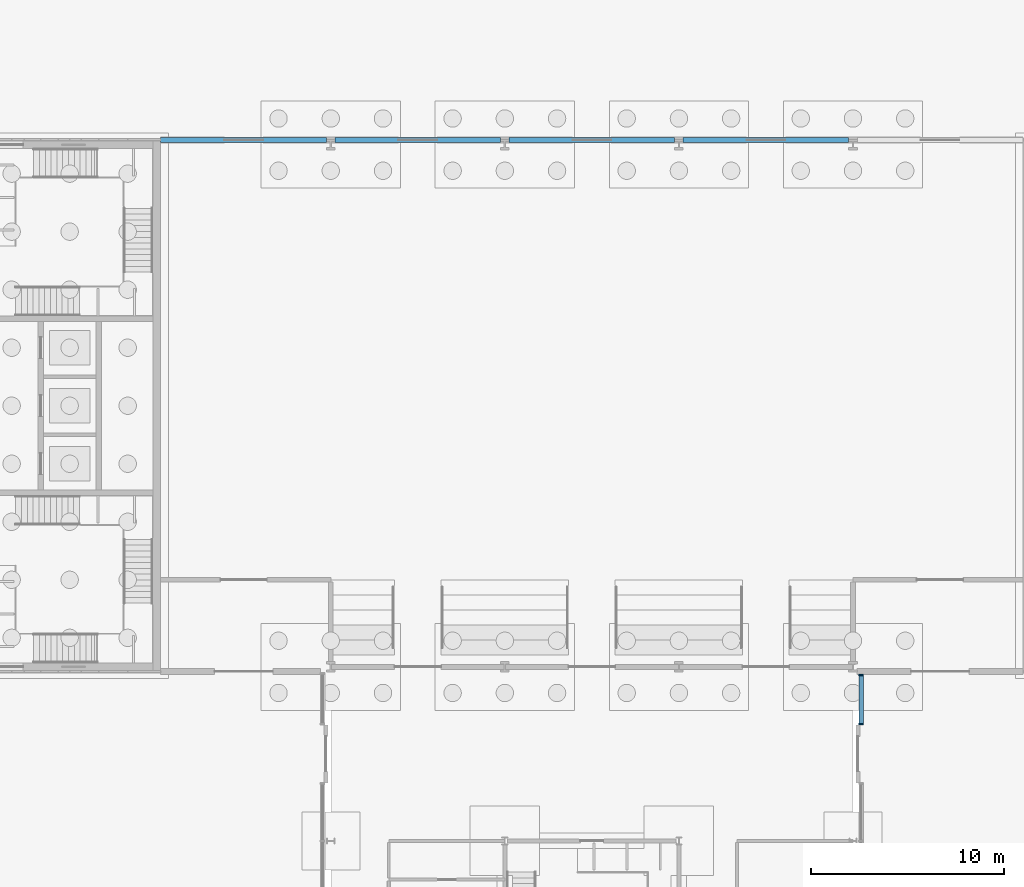
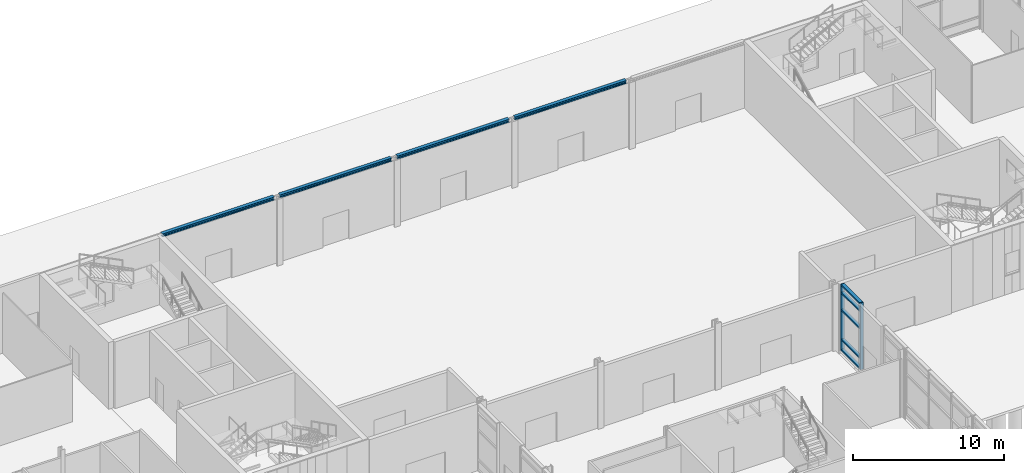
# One storey, part 17 of 45: 7 members, 4 beams, 1 element without a shape of its own.
"""IFC4 building model written with IfcOpenShell, lengths in metres."""

from ifc_helpers import new_model, si_unit, direction, frame, origin, origin_2d, place, context, subcontext, project, spatial, rectangle, i_section, extrude, material, material_profile, profile_set, type_object, element, aggregate, save


model = new_model("IFC4")

# Units and contexts
model_context = context("Model", 3, precision=1e-05, world=origin(), true_north=direction((0.0, 1.0)))
body_context = subcontext(model_context, "Body", "Model", "MODEL_VIEW")
ifc_project = project(units=[si_unit("LENGTHUNIT", "METRE"), si_unit("AREAUNIT", "SQUARE_METRE"), si_unit("VOLUMEUNIT", "CUBIC_METRE"), si_unit("PLANEANGLEUNIT", "RADIAN"), si_unit("MASSUNIT", "GRAM", prefix="KILO")], contexts=[model_context])

# Site, building, storey
site_placement = place(None, origin())
site = spatial("IfcSite", under=ifc_project, at=site_placement, CompositionType="ELEMENT")
building_placement = place(site_placement, origin())
building = spatial("IfcBuilding", under=site, at=building_placement, Name="Azimuth Sports and Learning Centre", CompositionType="ELEMENT")
storey_placement = place(building_placement, origin())
storey = spatial("IfcBuildingStorey", under=building, at=storey_placement, Name="L00", CompositionType="ELEMENT", Elevation=0.0)

# Beams
ifc_material_1 = material(Name="Steel S355", Category="steel")
ifc_material_profile_1 = material_profile(ifc_material_1, i_section(OverallWidth=0.260009765625, OverallDepth=0.260009765625, WebThickness=0.010009765625, FlangeThickness=0.017578125, FilletRadius=0.02392578125, at=origin_2d()), Name="HEB 260")
ifc_profile_set_1 = profile_set([ifc_material_profile_1], Name="Steel S355")
beam_type = type_object("IfcBeamType", Name="Edge beam HEB 260", PredefinedType="SPANDREL", material=ifc_profile_set_1)
beam_placement = place(storey_placement, frame((63.199951171875, 117.239990234375, 5.27001953125), z_axis=(1.0, 0.0, 0.0), x_axis=(0.0, 1.0, 0.0)))
element("IfcBeam", 1, at=beam_placement, inside=storey, type_object=beam_type, Name="Hall wall ledger beam 1", PredefinedType="SPANDREL", context=body_context, shape_type="SweptSolid", body=[
    extrude(i_section(OverallWidth=0.260009765625, OverallDepth=0.260009765625, WebThickness=0.010009765625, FlangeThickness=0.017578125, FilletRadius=0.02392578125, at=origin_2d()), origin(), (0.0, 0.0, 1.0), 8.5791015625),
])
for number, where, z_axis, x_axis, name in (
    (2, (72.220947265625, 117.239990234375, 5.27001953125), (1.0, 0.0, 0.0), (0.0, 1.0, 0.0), "Hall wall ledger beam 2"),
    (3, (81.220947265625, 117.239990234375, 5.27001953125), (1.0, 0.0, 0.0), (0.0, 1.0, 0.0), "Hall wall ledger beam 3"),
    (4, (90.220947265625, 117.239990234375, 5.27001953125), (1.0, 0.0, 0.0), (0.0, 1.0, 0.0), "Hall wall ledger beam 4"),
):
    element("IfcBeam", number, at=place(storey_placement, frame(where, z_axis=z_axis, x_axis=x_axis)), inside=storey, type_object=beam_type, Name=name, PredefinedType="SPANDREL", context=body_context, shape_type="SweptSolid", body=[
        extrude(i_section(OverallWidth=0.260009765625, OverallDepth=0.260009765625, WebThickness=0.010009765625, FlangeThickness=0.017578125, FilletRadius=0.02392578125, at=origin_2d()), origin(), (0.0, 0.0, 1.0), 8.55810546875),
    ])

# Curtain wall, members
ifc_material_2 = material(Name="Aluminium and glass", Category="aluminium")
curtain_wall_type = type_object("IfcCurtainWallType", Name="Curtain wall podium stem 240", PredefinedType="NOTDEFINED", material=ifc_material_2)
curtain_wall_placement = place(storey_placement, origin())
curtain_wall = element("IfcCurtainWall", 5, at=curtain_wall_placement, inside=storey, type_object=curtain_wall_type, Name="Curtain wall CW00-008", PredefinedType="NOTDEFINED")
ifc_material_3 = material(Name="Aluminium", Category="aluminium")
ifc_material_profile_2 = material_profile(ifc_material_3, rectangle(XDim=0.239990234375, YDim=0.080078125, at=origin_2d()), Name="Mullion 80x240")
ifc_profile_set_2 = profile_set([ifc_material_profile_2], Name="Aluminium")
member_type_1 = type_object("IfcMemberType", Name="Mullion 80x240", PredefinedType="MULLION", material=ifc_profile_set_2)
member_1_placement = place(storey_placement, frame((99.419921875, 87.0400390625, 0.0), z_axis=(0.0, 0.0, 1.0), x_axis=(-1.0, 0.0, 0.0)))
member_1 = element("IfcMember", 6, at=member_1_placement, type_object=member_type_1, Name="CW00-008 mullion 1", PredefinedType="MULLION", context=body_context, shape_type="SweptSolid", body=[
    extrude(rectangle(XDim=0.239990234375, YDim=0.080078125, at=origin_2d()), origin(), (0.0, 0.0, 1.0), 5.39990234375),
])
member_2_placement = place(storey_placement, frame((99.419921875, 89.570068359375, 0.0), z_axis=(0.0, 0.0, 1.0), x_axis=(-1.0, 0.0, 0.0)))
member_2 = element("IfcMember", 7, at=member_2_placement, type_object=member_type_1, Name="CW00-008 mullion 2", PredefinedType="MULLION", context=body_context, shape_type="SweptSolid", body=[
    extrude(rectangle(XDim=0.239990234375, YDim=0.080078125, at=origin_2d()), origin(), (0.0, 0.0, 1.0), 5.39990234375),
])
ifc_material_4 = material(Name="Aluminium", Category="aluminium")
ifc_material_profile_3 = material_profile(ifc_material_4, rectangle(XDim=0.239990234375, YDim=0.1201171875, at=origin_2d()), Name="Transom 120x240")
ifc_profile_set_3 = profile_set([ifc_material_profile_3], Name="Aluminium")
member_type_2 = type_object("IfcMemberType", Name="Transom 120x240", PredefinedType="USERDEFINED", material=ifc_profile_set_3)
member_3_placement = place(storey_placement, frame((99.419921875, 87.080078125, 0.06005859375), z_axis=(0.0, 1.0, 0.0), x_axis=(-1.0, 0.0, 0.0)))
member_3 = element("IfcMember", 8, at=member_3_placement, type_object=member_type_2, Name="CW00-008 transom 1.1", ObjectType="TRANSOM", PredefinedType="USERDEFINED", context=body_context, shape_type="SweptSolid", body=[
    extrude(rectangle(XDim=0.239990234375, YDim=0.1201171875, at=origin_2d()), origin(), (0.0, 0.0, 1.0), 2.449951171875),
])
member_4_placement = place(storey_placement, frame((99.419921875, 87.080078125, 0.89990234375), z_axis=(0.0, 1.0, 0.0), x_axis=(-1.0, 0.0, 0.0)))
member_4 = element("IfcMember", 9, at=member_4_placement, type_object=member_type_2, Name="CW00-008 transom 1.2", ObjectType="TRANSOM", PredefinedType="USERDEFINED", context=body_context, shape_type="SweptSolid", body=[
    extrude(rectangle(XDim=0.239990234375, YDim=0.1201171875, at=origin_2d()), origin(), (0.0, 0.0, 1.0), 2.449951171875),
])
member_5_placement = place(storey_placement, frame((99.419921875, 87.080078125, 3.300048828125), z_axis=(0.0, 1.0, 0.0), x_axis=(-1.0, 0.0, 0.0)))
member_5 = element("IfcMember", 10, at=member_5_placement, type_object=member_type_2, Name="CW00-008 transom 1.3", ObjectType="TRANSOM", PredefinedType="USERDEFINED", context=body_context, shape_type="SweptSolid", body=[
    extrude(rectangle(XDim=0.239990234375, YDim=0.1201171875, at=origin_2d()), origin(), (0.0, 0.0, 1.0), 2.449951171875),
])
member_6_placement = place(storey_placement, frame((99.419921875, 87.080078125, 4.699951171875), z_axis=(0.0, 1.0, 0.0), x_axis=(-1.0, 0.0, 0.0)))
member_6 = element("IfcMember", 11, at=member_6_placement, type_object=member_type_2, Name="CW00-008 transom 1.4", ObjectType="TRANSOM", PredefinedType="USERDEFINED", context=body_context, shape_type="SweptSolid", body=[
    extrude(rectangle(XDim=0.239990234375, YDim=0.1201171875, at=origin_2d()), origin(), (0.0, 0.0, 1.0), 2.449951171875),
])
member_7_placement = place(storey_placement, frame((99.419921875, 87.080078125, 5.340087890625), z_axis=(0.0, 1.0, 0.0), x_axis=(-1.0, 0.0, 0.0)))
member_7 = element("IfcMember", 12, at=member_7_placement, type_object=member_type_2, Name="CW00-008 transom 1.5", ObjectType="TRANSOM", PredefinedType="USERDEFINED", context=body_context, shape_type="SweptSolid", body=[
    extrude(rectangle(XDim=0.239990234375, YDim=0.1201171875, at=origin_2d()), origin(), (0.0, 0.0, 1.0), 2.449951171875),
])
aggregate(curtain_wall, [member_1, member_2, member_3, member_4, member_5, member_6, member_7])

save(model, "model.ifc")
